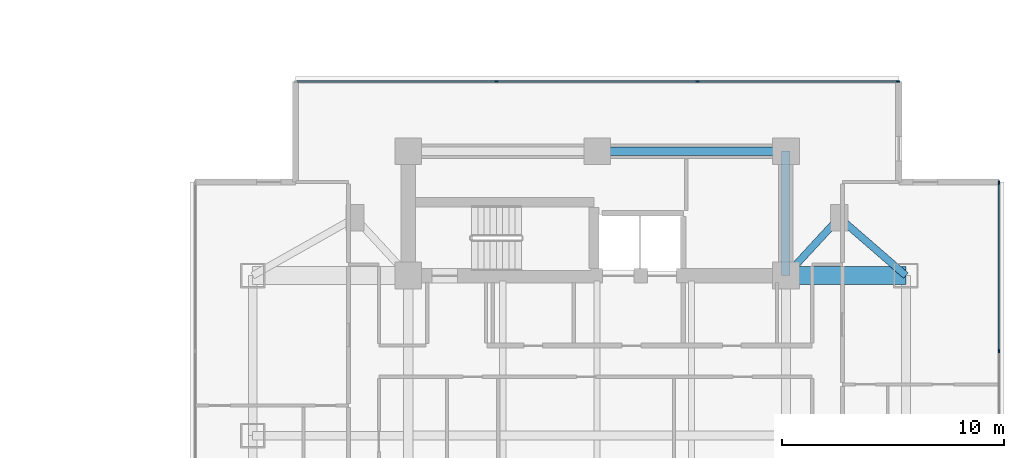
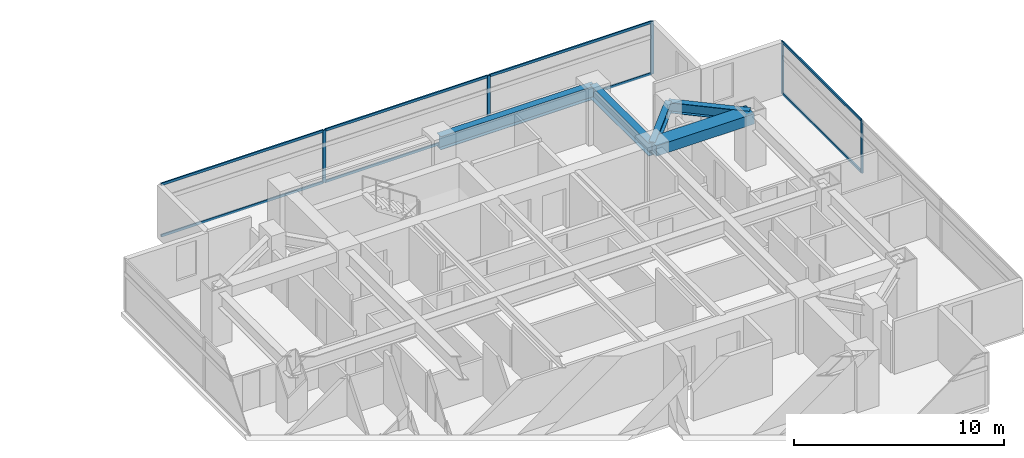
# One storey, part 10 of 24: 13 members, 5 beams, 2 elements without a shape of their own.
"""IFC4 building model written with IfcOpenShell, lengths in metres."""

import ifcopenshell
import ifcopenshell.guid

model = None  # the IFC model being written
_history = None  # IfcOwnerHistory: only IFC2X3 demands one
_inside = {}  # id of a spatial element -> (the spatial element, [elements in it])
_under = {}  # id of a project, library or spatial element -> (it, [spatial elements below it])
_declared = {}  # id of a project -> (the project, [libraries it declares])
_typed = {}  # id of a type object -> (the type object, [elements of that type])
_made_of = {}  # id of a material, layer set ... -> (it, [elements and type objects made of it])


def new_model(schema):
    """Start an empty IFC model of exactly this schema.

    Asked for "IFC4X3", IfcOpenShell would pick the latest addendum, in which some entities
    have other attributes; the version numbers below select the first issue.
    IFC2X3 requires an IfcOwnerHistory on every rooted entity: one is made here for all.
    """
    global model, _history
    if schema == "IFC4X3":
        model = ifcopenshell.file(schema_version=(4, 3, 0, 0))
    else:
        model = ifcopenshell.file(schema=schema)
    _inside.clear()
    _under.clear()
    _declared.clear()
    _typed.clear()
    _made_of.clear()
    _history = None
    if model.schema == "IFC2X3":
        org = make("IfcOrganization", Name="unknown")
        user = make(
            "IfcPersonAndOrganization",
            ThePerson=make("IfcPerson", FamilyName="unknown"),
            TheOrganization=org,
        )
        app = make(
            "IfcApplication",
            ApplicationDeveloper=org,
            Version="unknown",
            ApplicationFullName="unknown",
            ApplicationIdentifier="unknown",
        )
        _history = make(
            "IfcOwnerHistory",
            OwningUser=user,
            OwningApplication=app,
            ChangeAction="ADDED",
            CreationDate=0,
        )
    return model


def make(cls, **values):
    """One entity of the class cls with the attributes given. An attribute that is None is left unset."""
    return model.create_entity(
        cls, **{name: value for name, value in values.items() if value is not None}
    )


def rooted(cls, **values):
    """An entity with a GlobalId (a new one), such as an element, a storey or a relation."""
    return make(cls, GlobalId=ifcopenshell.guid.new(), OwnerHistory=_history, **values)


def si_unit(unit_type, name, prefix=None):
    """IfcSIUnit, for example si_unit("LENGTHUNIT", "METRE", prefix="MILLI")."""
    return make("IfcSIUnit", UnitType=unit_type, Prefix=prefix, Name=name)


def assignment(units):
    """IfcUnitAssignment: the units of a project."""
    return None if units is None else make("IfcUnitAssignment", Units=units)


def point(xyz):
    """IfcCartesianPoint."""
    return None if xyz is None else make("IfcCartesianPoint", Coordinates=xyz)


def direction(xyz):
    """IfcDirection."""
    return None if xyz is None else make("IfcDirection", DirectionRatios=xyz)


def frame(location, z_axis=None, x_axis=None):
    """IfcAxis2Placement3D, a coordinate frame: its origin and axes. An axis left out is left unset."""
    return make(
        "IfcAxis2Placement3D",
        Location=point(location),
        Axis=direction(z_axis),
        RefDirection=direction(x_axis),
    )


def frame_2d(location, x_axis=None):
    """IfcAxis2Placement2D, a coordinate frame in the plane: its origin and x axis."""
    return make(
        "IfcAxis2Placement2D", Location=point(location), RefDirection=direction(x_axis)
    )


def origin():
    """The frame at (0, 0, 0) with its axes left unset."""
    return frame((0.0, 0.0, 0.0))


def origin_2d():
    """The frame at (0, 0) in the plane with its x axis left unset."""
    return frame_2d((0.0, 0.0))


def place(relative_to, where):
    """IfcLocalPlacement: puts the frame where relative to a parent placement (None: the world)."""
    return make(
        "IfcLocalPlacement", PlacementRelTo=relative_to, RelativePlacement=where
    )


def context(
    kind, dimensions, precision=None, world=None, true_north=None, identifier=None
):
    """IfcGeometricRepresentationContext, for example the 3D "Model" context."""
    return make(
        "IfcGeometricRepresentationContext",
        ContextIdentifier=identifier,
        ContextType=kind,
        CoordinateSpaceDimension=dimensions,
        Precision=precision,
        WorldCoordinateSystem=world,
        TrueNorth=true_north,
    )


def subcontext(parent, identifier, kind, view, scale=None):
    """IfcGeometricRepresentationSubContext, for example "Body" below "Model"."""
    return make(
        "IfcGeometricRepresentationSubContext",
        ContextIdentifier=identifier,
        ContextType=kind,
        ParentContext=parent,
        TargetScale=scale,
        TargetView=view,
    )


def project(units=None, contexts=None):
    """IfcProject with its units and contexts."""
    return rooted(
        "IfcProject",
        Name="project",
        RepresentationContexts=contexts,
        UnitsInContext=assignment(units),
    )


def spatial(cls, under=None, at=None, **own):
    """A site, building, storey or space (cls), placed at a placement, below another one or the project."""
    s = rooted(cls, ObjectPlacement=at, **own)
    if under is not None:
        _under.setdefault(under.id(), (under, []))[1].append(s)
    return s


def profile(cls, at=None, kind="AREA", **sizes):
    """A parametric profile (cls). Its sizes go by their IFC names, for example OverallWidth=200.0."""
    return make(cls, ProfileType=kind, Position=at, **sizes)


def rectangle(**sizes):
    """IfcRectangleProfileDef."""
    return profile("IfcRectangleProfileDef", **sizes)


def i_section(**sizes):
    """IfcIShapeProfileDef."""
    return profile("IfcIShapeProfileDef", **sizes)


def extrude(swept, where, along, depth):
    """IfcExtrudedAreaSolid: the profile swept, set in the frame where, extruded along a direction by depth."""
    return make(
        "IfcExtrudedAreaSolid",
        SweptArea=swept,
        Position=where,
        ExtrudedDirection=direction(along),
        Depth=depth,
    )


def shape(context_of_items, identifier, shape_type, items):
    """IfcShapeRepresentation: the items that make up one representation, for example the "Body"."""
    return make(
        "IfcShapeRepresentation",
        ContextOfItems=context_of_items,
        RepresentationIdentifier=identifier,
        RepresentationType=shape_type,
        Items=items,
    )


def material(Name=None, Category=None):
    """IfcMaterial."""
    return make("IfcMaterial", Name=Name, Category=Category)


def material_profile(
    of_material, cross_section, Name=None, Category=None, Priority=None
):
    """IfcMaterialProfile: a cross section and its material."""
    return make(
        "IfcMaterialProfile",
        Name=Name,
        Material=of_material,
        Profile=cross_section,
        Priority=Priority,
        Category=Category,
    )


def profile_set(profiles, Name=None, composite=None):
    """IfcMaterialProfileSet."""
    return make(
        "IfcMaterialProfileSet",
        Name=Name,
        MaterialProfiles=profiles,
        CompositeProfile=composite,
    )


def made_of(thing, what):
    """Note that an element or type object is made of a material, layer set ...; save() writes the relation."""
    if what is not None:
        _made_of.setdefault(what.id(), (what, []))[1].append(thing)
    return thing


def type_object(cls, material=None, **own):
    """A type object (cls), such as IfcWallType, which elements share."""
    return made_of(rooted(cls, **own), material)


def element(
    cls,
    number,
    at=None,
    inside=None,
    cuts=None,
    type_object=None,
    material=None,
    context=None,
    identifier="Body",
    shape_type=None,
    held_by="IfcProductDefinitionShape",
    body=None,
    shapes=None,
    **own,
):
    """One element of the class cls, such as IfcWall. Its Tag is "e" and its number.

    at: its placement. inside: the storey or other place that contains it. cuts: it is an
    opening in that element (IfcRelVoidsElement). A single representation is given by context,
    identifier, shape_type and body (its items); several are given by shapes. held_by: the class
    of the entity that holds the representations. save() writes the other relations.
    """
    e = rooted(cls, Tag="e%d" % number, ObjectPlacement=at, **own)
    if body is not None:
        shapes = [shape(context, identifier, shape_type, body)]
    if shapes is not None:
        e.Representation = make(held_by, Representations=shapes)
    if inside is not None:
        _inside.setdefault(inside.id(), (inside, []))[1].append(e)
    if cuts is not None:
        rooted(
            "IfcRelVoidsElement", RelatingBuildingElement=cuts, RelatedOpeningElement=e
        )
    if type_object is not None:
        _typed.setdefault(type_object.id(), (type_object, []))[1].append(e)
    return made_of(e, material)


def aggregate(whole, parts):
    """IfcRelAggregates: a whole, such as a stair, and the parts it consists of."""
    return rooted("IfcRelAggregates", RelatingObject=whole, RelatedObjects=parts)


def save(model, path):
    """Write the relations noted so far, then the file.

    IfcRelAggregates (storeys below a building ...), IfcRelContainedInSpatialStructure (elements
    in a storey), IfcRelDefinesByType, IfcRelAssociatesMaterial and IfcRelDeclares: one each for
    every whole, place, type object, material and project.
    """
    for whole, parts in _under.values():
        aggregate(whole, parts)
    for where, things in _inside.values():
        rooted(
            "IfcRelContainedInSpatialStructure",
            RelatedElements=things,
            RelatingStructure=where,
        )
    for kind, things in _typed.values():
        rooted("IfcRelDefinesByType", RelatedObjects=things, RelatingType=kind)
    for what, things in _made_of.values():
        rooted("IfcRelAssociatesMaterial", RelatedObjects=things, RelatingMaterial=what)
    for by, libraries in _declared.values():
        rooted("IfcRelDeclares", RelatingContext=by, RelatedDefinitions=libraries)
    model.write(path)


model = new_model("IFC4")

# Units and contexts
model_context = context("Model", 3, precision=1e-05, world=origin(), true_north=direction((0.0, 1.0)))
body_context = subcontext(model_context, "Body", "Model", "MODEL_VIEW")
ifc_project = project(units=[si_unit("LENGTHUNIT", "METRE"), si_unit("AREAUNIT", "SQUARE_METRE"), si_unit("VOLUMEUNIT", "CUBIC_METRE"), si_unit("PLANEANGLEUNIT", "RADIAN"), si_unit("MASSUNIT", "GRAM", prefix="KILO")], contexts=[model_context])

# Site, building, storey
site_placement = place(None, origin())
site = spatial("IfcSite", under=ifc_project, at=site_placement, CompositionType="ELEMENT")
building_placement = place(site_placement, origin())
building = spatial("IfcBuilding", under=site, at=building_placement, Name="Mirazonda Arch Towers", CompositionType="ELEMENT")
storey_placement = place(building_placement, frame((0.0, 0.0, 101.60009765625)))
storey = spatial("IfcBuildingStorey", under=building, at=storey_placement, Name="L28", CompositionType="ELEMENT", Elevation=101.60009765625)

# Beams
ifc_material_1 = material(Name="Steel ASTM A992 Grade 50", Category="steel")
ifc_material_profile_1 = material_profile(ifc_material_1, i_section(OverallWidth=0.324951171875, OverallDepth=0.615966796875, WebThickness=0.013916015625, FlangeThickness=0.021484375, at=origin_2d()), Name="W24X117")
ifc_profile_set_1 = profile_set([ifc_material_profile_1], Name="Steel ASTM A992 Grade 50")
beam_type_1 = type_object("IfcBeamType", Name="BM-INT-W24X117", PredefinedType="BEAM", material=ifc_profile_set_1)
beam_1_placement = place(storey_placement, frame((87.39990234375, 37.800048828125, 2.77197265625), z_axis=(-0.678251444854, -0.734829897019, 0.0), x_axis=(0.734829897019, -0.678251444854, 0.0)))
element("IfcBeam", 1, at=beam_1_placement, inside=storey, type_object=beam_type_1, Name="L28 Floor Beam BM-T2-L28-PL-NE1", PredefinedType="BEAM", context=body_context, shape_type="SweptSolid", body=[
    extrude(i_section(OverallWidth=0.324951171875, OverallDepth=0.615966796875, WebThickness=0.013916015625, FlangeThickness=0.021484375, at=origin_2d()), origin(), (0.0, 0.0, 1.0), 3.538330078125),
])
beam_2_placement = place(storey_placement, frame((87.39990234375, 37.800048828125, 2.77197265625), z_axis=(0.755676908098, -0.654944585876, 0.0), x_axis=(0.654944585876, 0.755676908098, 0.0)))
element("IfcBeam", 2, at=beam_2_placement, inside=storey, type_object=beam_type_1, Name="L28 Floor Beam BM-T2-L28-PL-NE2", PredefinedType="BEAM", context=body_context, shape_type="SweptSolid", body=[
    extrude(i_section(OverallWidth=0.324951171875, OverallDepth=0.615966796875, WebThickness=0.013916015625, FlangeThickness=0.021484375, at=origin_2d()), origin(), (0.0, 0.0, 1.0), 3.969970703125),
])
ifc_material_profile_2 = material_profile(ifc_material_1, i_section(OverallWidth=0.381103515625, OverallDepth=0.77294921875, WebThickness=0.0166015625, FlangeThickness=0.027099609375, at=origin_2d()), Name="W30X173")
ifc_profile_set_2 = profile_set([ifc_material_profile_2], Name="Steel ASTM A992 Grade 50")
beam_type_2 = type_object("IfcBeamType", Name="BM-INT-W30X173", PredefinedType="USERDEFINED", material=ifc_profile_set_2)
beam_3_placement = place(storey_placement, frame((76.5, 40.800048828125, 2.693359375), z_axis=(1.0, 0.0, 0.0), x_axis=(0.0, 1.0, 0.0)))
element("IfcBeam", 3, at=beam_3_placement, inside=storey, type_object=beam_type_2, Name="L28 Floor Beam BM-T2-L28-CN2", ObjectType="GIRDER", PredefinedType="USERDEFINED", context=body_context, shape_type="SweptSolid", body=[
    extrude(i_section(OverallWidth=0.381103515625, OverallDepth=0.77294921875, WebThickness=0.0166015625, FlangeThickness=0.027099609375, at=origin_2d()), origin(), (0.0, 0.0, 1.0), 8.5),
])
beam_4_placement = place(storey_placement, frame((85.0, 35.199951171875, 2.693359375), z_axis=(0.0, 1.0, 0.0), x_axis=(-1.0, 0.0, 0.0)))
element("IfcBeam", 4, at=beam_4_placement, inside=storey, type_object=beam_type_2, Name="L28 Floor Beam BM-T2-L28-CNE", ObjectType="GIRDER", PredefinedType="USERDEFINED", context=body_context, shape_type="SweptSolid", body=[
    extrude(i_section(OverallWidth=0.381103515625, OverallDepth=0.77294921875, WebThickness=0.0166015625, FlangeThickness=0.027099609375, at=origin_2d()), origin(), (0.0, 0.0, 1.0), 5.60009765625),
])
ifc_material_2 = material(Name="Concrete C60/75", Category="concrete")
ifc_material_profile_3 = material_profile(ifc_material_2, rectangle(XDim=0.800048828125, YDim=0.60009765625, at=origin_2d()), Name="RCCB800x600")
ifc_profile_set_3 = profile_set([ifc_material_profile_3], Name="Concrete C60/75")
beam_type_3 = type_object("IfcBeamType", Name="CB-INT-RCCB800x600", PredefinedType="SPANDREL", material=ifc_profile_set_3)
beam_5_placement = place(storey_placement, frame((85.0, 35.199951171875, 2.77978515625), z_axis=(1.0, 0.0, 0.0), x_axis=(0.0, 1.0, 0.0)))
element("IfcBeam", 5, at=beam_5_placement, inside=storey, type_object=beam_type_3, Name="L28 Floor Beam CBC-T2-L28-NE", PredefinedType="SPANDREL", context=body_context, shape_type="SweptSolid", body=[
    extrude(rectangle(XDim=0.800048828125, YDim=0.60009765625, at=origin_2d()), origin(), (0.0, 0.0, 1.0), 5.39990234375),
])

# Curtain wall, members
ifc_material_3 = material(Name="Anodised Aluminium and Low-E Glass", Category="aluminium")
curtain_wall_type = type_object("IfcCurtainWallType", Name="CW-HTL-UNIT", PredefinedType="NOTDEFINED", material=ifc_material_3)
curtain_wall_1_placement = place(storey_placement, origin())
curtain_wall_1 = element("IfcCurtainWall", 6, at=curtain_wall_1_placement, inside=storey, type_object=curtain_wall_type, Name="L28 T2 E Facade CW-L28-T2-E", PredefinedType="NOTDEFINED")
ifc_material_4 = material(Name="Anodised Aluminium Alloy", Category="aluminium")
ifc_material_profile_4 = material_profile(ifc_material_4, rectangle(XDim=0.074951171875, YDim=0.1650390625, at=origin_2d()), Name="ALU-MULL-75x165")
ifc_profile_set_4 = profile_set([ifc_material_profile_4], Name="Anodised Aluminium Alloy")
member_type_1 = type_object("IfcMemberType", Name="MULL-CW-HTL-UNIT", PredefinedType="MULLION", material=ifc_profile_set_4)
member_1_placement = place(storey_placement, frame((94.594482421875, 31.8046875, 0.0), z_axis=(0.0, 0.0, 1.0), x_axis=(-1.0, 0.0, 0.0)))
member_1 = element("IfcMember", 7, at=member_1_placement, type_object=member_type_1, Name="CW-112 mullion 3", PredefinedType="MULLION", context=body_context, shape_type="SweptSolid", body=[
    extrude(rectangle(XDim=0.074951171875, YDim=0.1650390625, at=origin_2d()), origin(), (0.0, 0.0, 1.0), 3.059814453125),
])
member_2_placement = place(storey_placement, frame((94.594482421875, 39.376953125, 0.0), z_axis=(0.0, 0.0, 1.0), x_axis=(-1.0, 0.0, 0.0)))
member_2 = element("IfcMember", 8, at=member_2_placement, type_object=member_type_1, Name="CW-112 mullion 4", PredefinedType="MULLION", context=body_context, shape_type="SweptSolid", body=[
    extrude(rectangle(XDim=0.074951171875, YDim=0.1650390625, at=origin_2d()), origin(), (0.0, 0.0, 1.0), 3.059814453125),
])

curtain_wall_2_placement = place(storey_placement, origin())
curtain_wall_2 = element("IfcCurtainWall", 9, at=curtain_wall_2_placement, inside=storey, type_object=curtain_wall_type, Name="L28 T2 N Facade CW-L28-T2-N", PredefinedType="NOTDEFINED")
member_3_placement = place(storey_placement, frame((71.973876953125, 43.9306640625, 0.0), z_axis=(0.0, 0.0, 1.0), x_axis=(0.0, 1.0, 0.0)))
member_3 = element("IfcMember", 10, at=member_3_placement, type_object=member_type_1, Name="CW-112 mullion 2", PredefinedType="MULLION", context=body_context, shape_type="SweptSolid", body=[
    extrude(rectangle(XDim=0.074951171875, YDim=0.1650390625, at=origin_2d()), origin(), (0.0, 0.0, 1.0), 3.059814453125),
])
member_4_placement = place(storey_placement, frame((81.026123046875, 43.9306640625, 0.0), z_axis=(0.0, 0.0, 1.0), x_axis=(0.0, 1.0, 0.0)))
member_4 = element("IfcMember", 11, at=member_4_placement, type_object=member_type_1, Name="CW-112 mullion 3", PredefinedType="MULLION", context=body_context, shape_type="SweptSolid", body=[
    extrude(rectangle(XDim=0.074951171875, YDim=0.1650390625, at=origin_2d()), origin(), (0.0, 0.0, 1.0), 3.059814453125),
])
member_5_placement = place(storey_placement, frame((90.040771484375, 43.9306640625, 0.0), z_axis=(0.0, 0.0, 1.0), x_axis=(0.0, 1.0, 0.0)))
member_5 = element("IfcMember", 12, at=member_5_placement, type_object=member_type_1, Name="CW-112 mullion 4", PredefinedType="MULLION", context=body_context, shape_type="SweptSolid", body=[
    extrude(rectangle(XDim=0.074951171875, YDim=0.1650390625, at=origin_2d()), origin(), (0.0, 0.0, 1.0), 3.059814453125),
])

# Member
ifc_material_profile_5 = material_profile(ifc_material_4, rectangle(XDim=0.074951171875, YDim=0.14501953125, at=origin_2d()), Name="ALU-TRAN-75x145")
ifc_profile_set_5 = profile_set([ifc_material_profile_5], Name="Anodised Aluminium Alloy")
member_type_2 = type_object("IfcMemberType", Name="TRAN-CW-HTL-UNIT", PredefinedType="USERDEFINED", material=ifc_profile_set_5)
member_6_placement = place(storey_placement, frame((94.594482421875, 31.84228515625, 0.037353515625), z_axis=(0.0, 1.0, 0.0), x_axis=(-1.0, 0.0, 0.0)))
member_6 = element("IfcMember", 13, at=member_6_placement, type_object=member_type_2, Name="CW-112 transom 3.1", ObjectType="TRANSOM", PredefinedType="USERDEFINED", context=body_context, shape_type="SweptSolid", body=[
    extrude(rectangle(XDim=0.074951171875, YDim=0.14501953125, at=origin_2d()), origin(), (0.0, 0.0, 1.0), 7.4970703125),
])

member_7_placement = place(storey_placement, frame((94.594482421875, 31.84228515625, 3.0224609375), z_axis=(0.0, 1.0, 0.0), x_axis=(-1.0, 0.0, 0.0)))
member_7 = element("IfcMember", 14, at=member_7_placement, type_object=member_type_2, Name="CW-112 transom 3.2", ObjectType="TRANSOM", PredefinedType="USERDEFINED", context=body_context, shape_type="SweptSolid", body=[
    extrude(rectangle(XDim=0.074951171875, YDim=0.14501953125, at=origin_2d()), origin(), (0.0, 0.0, 1.0), 7.4970703125),
])

aggregate(curtain_wall_1, [member_1, member_2, member_6, member_7])

member_8_placement = place(storey_placement, frame((62.996826171875, 43.9306640625, 0.037353515625), z_axis=(1.0, 0.0, 0.0), x_axis=(0.0, 1.0, 0.0)))
member_8 = element("IfcMember", 15, at=member_8_placement, type_object=member_type_2, Name="CW-112 transom 1.1", ObjectType="TRANSOM", PredefinedType="USERDEFINED", context=body_context, shape_type="SweptSolid", body=[
    extrude(rectangle(XDim=0.074951171875, YDim=0.14501953125, at=origin_2d()), origin(), (0.0, 0.0, 1.0), 8.939697265625),
])

member_9_placement = place(storey_placement, frame((62.996826171875, 43.9306640625, 3.0224609375), z_axis=(1.0, 0.0, 0.0), x_axis=(0.0, 1.0, 0.0)))
member_9 = element("IfcMember", 16, at=member_9_placement, type_object=member_type_2, Name="CW-112 transom 1.2", ObjectType="TRANSOM", PredefinedType="USERDEFINED", context=body_context, shape_type="SweptSolid", body=[
    extrude(rectangle(XDim=0.074951171875, YDim=0.14501953125, at=origin_2d()), origin(), (0.0, 0.0, 1.0), 8.939697265625),
])

member_10_placement = place(storey_placement, frame((72.011474609375, 43.9306640625, 0.037353515625), z_axis=(1.0, 0.0, 0.0), x_axis=(0.0, 1.0, 0.0)))
member_10 = element("IfcMember", 17, at=member_10_placement, type_object=member_type_2, Name="CW-112 transom 2.1", ObjectType="TRANSOM", PredefinedType="USERDEFINED", context=body_context, shape_type="SweptSolid", body=[
    extrude(rectangle(XDim=0.074951171875, YDim=0.14501953125, at=origin_2d()), origin(), (0.0, 0.0, 1.0), 8.97705078125),
])

member_11_placement = place(storey_placement, frame((72.011474609375, 43.9306640625, 3.0224609375), z_axis=(1.0, 0.0, 0.0), x_axis=(0.0, 1.0, 0.0)))
member_11 = element("IfcMember", 18, at=member_11_placement, type_object=member_type_2, Name="CW-112 transom 2.2", ObjectType="TRANSOM", PredefinedType="USERDEFINED", context=body_context, shape_type="SweptSolid", body=[
    extrude(rectangle(XDim=0.074951171875, YDim=0.14501953125, at=origin_2d()), origin(), (0.0, 0.0, 1.0), 8.97705078125),
])

member_12_placement = place(storey_placement, frame((81.0634765625, 43.9306640625, 0.037353515625), z_axis=(1.0, 0.0, 0.0), x_axis=(0.0, 1.0, 0.0)))
member_12 = element("IfcMember", 19, at=member_12_placement, type_object=member_type_2, Name="CW-112 transom 3.1", ObjectType="TRANSOM", PredefinedType="USERDEFINED", context=body_context, shape_type="SweptSolid", body=[
    extrude(rectangle(XDim=0.074951171875, YDim=0.14501953125, at=origin_2d()), origin(), (0.0, 0.0, 1.0), 8.939697265625),
])

member_13_placement = place(storey_placement, frame((81.0634765625, 43.9306640625, 3.0224609375), z_axis=(1.0, 0.0, 0.0), x_axis=(0.0, 1.0, 0.0)))
member_13 = element("IfcMember", 20, at=member_13_placement, type_object=member_type_2, Name="CW-112 transom 3.2", ObjectType="TRANSOM", PredefinedType="USERDEFINED", context=body_context, shape_type="SweptSolid", body=[
    extrude(rectangle(XDim=0.074951171875, YDim=0.14501953125, at=origin_2d()), origin(), (0.0, 0.0, 1.0), 8.939697265625),
])

aggregate(curtain_wall_2, [member_3, member_4, member_5, member_8, member_9, member_10, member_11, member_12, member_13])

save(model, "model.ifc")
